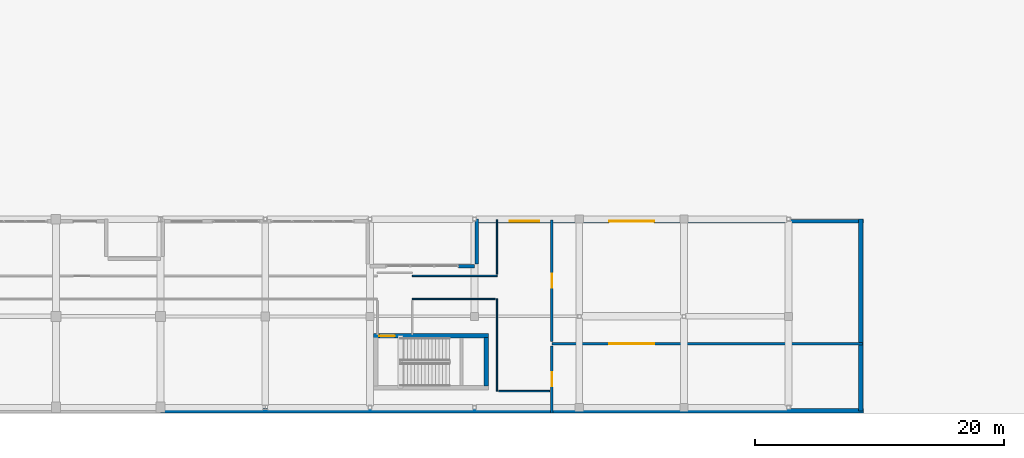
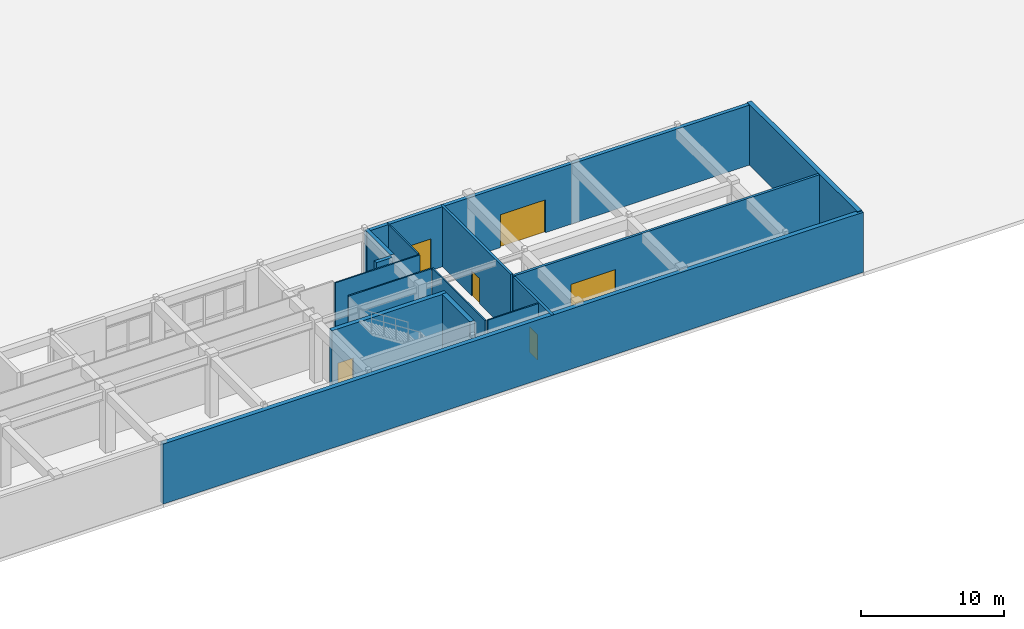
# One storey, part 129 of 148: 15 walls, 6 doors, 6 openings.
"""IFC4 building model written with IfcOpenShell, lengths in metres."""

from ifc_helpers import new_model, si_unit, direction, frame, frame_2d, origin, place, context, subcontext, project, spatial, rectangle, extrude, material, layer, layer_set, type_object, element, fill, save


model = new_model("IFC4")

# Units and contexts
model_context = context("Model", 3, precision=1e-05, world=origin(), true_north=direction((0.0, 1.0)))
body_context = subcontext(model_context, "Body", "Model", "MODEL_VIEW")
ifc_project = project(units=[si_unit("LENGTHUNIT", "METRE"), si_unit("AREAUNIT", "SQUARE_METRE"), si_unit("VOLUMEUNIT", "CUBIC_METRE"), si_unit("PLANEANGLEUNIT", "RADIAN"), si_unit("MASSUNIT", "GRAM", prefix="KILO")], contexts=[model_context])

# Site, building, storey
site_placement = place(None, origin())
site = spatial("IfcSite", under=ifc_project, at=site_placement, CompositionType="ELEMENT")
building_placement = place(site_placement, origin())
building = spatial("IfcBuilding", under=site, at=building_placement, Name="Quendrovan Civic Courthouse", CompositionType="ELEMENT")
storey_placement = place(building_placement, origin())
storey = spatial("IfcBuildingStorey", under=building, at=storey_placement, Name="L01", CompositionType="ELEMENT", Elevation=0.0)

# Wall, opening, door
ifc_material_1 = material(Name="Concrete C45/55", Category="concrete")
ifc_layer_1 = layer(ifc_material_1, 0.35009765625, Name="Concrete C45/55")
ifc_layer_set_1 = layer_set([ifc_layer_1], Name="Concrete C45/55")
wall_type_1 = type_object("IfcWallType", Name="WL-CORE-350", PredefinedType="SHEAR", material=ifc_layer_set_1)
wall_1_placement = place(storey_placement, frame((85.110107421875, 6.235107421875, 0.0), z_axis=(0.0, 0.0, 1.0), x_axis=(-1.0, 0.0, 0.0)))
wall_1 = element("IfcWall", 1, at=wall_1_placement, inside=storey, type_object=wall_type_1, Name="L01 Core Shear Wall ST7-N", PredefinedType="SHEAR", context=body_context, shape_type="SweptSolid", body=[
    extrude(rectangle(XDim=9.22021484375, YDim=0.35009765625, at=frame_2d((4.610107421875, 0.0))), origin(), (0.0, 0.0, 1.0), 5.1201171875),
])
opening_1_placement = place(wall_1_placement, frame((7.5, 0.0, 0.0)))
opening_1 = element("IfcOpeningElement", 2, at=opening_1_placement, cuts=wall_1, Name="Opening DS-ST7-L01", PredefinedType="OPENING", context=body_context, shape_type="SweptSolid", body=[
    extrude(rectangle(XDim=1.25, YDim=2.199951171875, at=frame_2d((0.625, 1.10009765625))), frame((0.0, 0.18505859375, 0.0), z_axis=(0.0, -1.0, 0.0), x_axis=(1.0, 0.0, 0.0)), (0.0, 0.0, 1.0), 0.3701171875),
])
ifc_material_2 = material(Name="Painted galvanized hollow-metal steel", Category="steel")
door_type_1 = type_object("IfcDoorType", Name="DR-STAIR-1250", OperationType="NOTDEFINED", PredefinedType="DOOR", material=ifc_material_2)
door_1_placement = place(opening_1_placement, origin())
door_1 = element("IfcDoor", 3, at=door_1_placement, inside=storey, type_object=door_type_1, Name="L01 Exit Stair ST7 Fire Door", OperationType="SINGLE_SWING_LEFT", OverallHeight=2.199951171875, OverallWidth=1.25, PredefinedType="DOOR", context=body_context, shape_type="SweptSolid", body=[
    extrude(rectangle(XDim=1.25, YDim=2.199951171875, at=frame_2d((0.625, 1.10009765625))), frame((0.0, 0.02490234375, 0.0), z_axis=(0.0, -1.0, 0.0), x_axis=(1.0, 0.0, 0.0)), (0.0, 0.0, 1.0), 0.050048828125),
])
fill(opening_1, door_1)

# Wall
wall_2_placement = place(storey_placement, frame((84.93505859375, 6.10009765625, 0.0), z_axis=(0.0, 0.0, 1.0), x_axis=(0.0, -1.0, 0.0)))
element("IfcWall", 4, at=wall_2_placement, inside=storey, type_object=wall_type_1, Name="L01 Core Shear Wall ST7-E", PredefinedType="SHEAR", context=body_context, shape_type="SweptSolid", body=[
    extrude(rectangle(XDim=3.900146484375, YDim=0.35009765625, at=frame_2d((1.9501953125, 0.0))), origin(), (0.0, 0.0, 1.0), 5.1201171875),
])

# Wall, opening, door
ifc_material_3 = material(Name="Concrete C40/50", Category="concrete")
ifc_layer_2 = layer(ifc_material_3, 0.199951171875, Name="Concrete C40/50")
ifc_layer_set_2 = layer_set([ifc_layer_2], Name="Concrete C40/50")
wall_type_2 = type_object("IfcWallType", Name="WL-CUST-200", PredefinedType="PARTITIONING", material=ifc_layer_set_2)
wall_3_placement = place(storey_placement, frame((115.139892578125, 5.60009765625, 0.0), z_axis=(0.0, 0.0, 1.0), x_axis=(-1.0, 0.0, 0.0)))
wall_3 = element("IfcWall", 5, at=wall_3_placement, inside=storey, type_object=wall_type_2, Name="L01 Custody Vehicle Dock Partition 0161", PredefinedType="PARTITIONING", context=body_context, shape_type="SweptSolid", body=[
    extrude(rectangle(XDim=24.93994140625, YDim=0.199951171875, at=frame_2d((12.469970703125, 0.0))), origin(), (0.0, 0.0, 1.0), 5.1201171875),
])
opening_2_placement = place(wall_3_placement, frame((16.739990234375, 0.0, 0.0)))
opening_2 = element("IfcOpeningElement", 6, at=opening_2_placement, cuts=wall_3, Name="Opening G-SP2", PredefinedType="OPENING", context=body_context, shape_type="SweptSolid", body=[
    extrude(rectangle(XDim=3.60009765625, YDim=2.800048828125, at=frame_2d((1.800048828125, 1.39990234375))), frame((0.0, 0.10986328125, 0.0), z_axis=(0.0, -1.0, 0.0), x_axis=(1.0, 0.0, 0.0)), (0.0, 0.0, 1.0), 0.219970703125),
])
ifc_material_4 = material(Name="Bronze anodised aluminium", Category="aluminium")
door_type_2 = type_object("IfcDoorType", Name="GT-SALLY-3600", OperationType="NOTDEFINED", PredefinedType="GATE", material=ifc_material_4)
door_2_placement = place(opening_2_placement, origin())
door_2 = element("IfcDoor", 7, at=door_2_placement, inside=storey, type_object=door_type_2, Name="Custody Vehicle Dock Interlocked Interior Roller Shutter Gate G-SP2", OperationType="ROLLINGUP", OverallHeight=2.800048828125, OverallWidth=3.60009765625, PredefinedType="GATE", context=body_context, shape_type="SweptSolid", body=[
    extrude(rectangle(XDim=3.60009765625, YDim=2.800048828125, at=frame_2d((1.800048828125, 1.39990234375))), frame((0.0, 0.02490234375, 0.0), z_axis=(0.0, -1.0, 0.0), x_axis=(1.0, 0.0, 0.0)), (0.0, 0.0, 1.0), 0.050048828125),
])
fill(opening_2, door_2)

wall_4_placement = place(storey_placement, frame((90.199951171875, 5.780029296875, 0.0), z_axis=(0.0, 0.0, 1.0), x_axis=(0.0, 1.0, 0.0)))
wall_4 = element("IfcWall", 8, at=wall_4_placement, inside=storey, type_object=wall_type_2, Name="L01 Custody Vehicle Dock Partition 0194", PredefinedType="PARTITIONING", context=body_context, shape_type="SweptSolid", body=[
    extrude(rectangle(XDim=9.760009765625, YDim=0.199951171875, at=frame_2d((4.8798828125, 0.0))), origin(), (0.0, 0.0, 1.0), 5.1201171875),
])
opening_3_placement = place(wall_4_placement, frame((4.320068359375, 0.0, 0.0)))
opening_3 = element("IfcOpeningElement", 9, at=opening_3_placement, cuts=wall_4, Name="Opening D-L01-030", PredefinedType="OPENING", context=body_context, shape_type="SweptSolid", body=[
    extrude(rectangle(XDim=1.1201171875, YDim=2.14990234375, at=frame_2d((0.56005859375, 1.074951171875))), frame((0.0, 0.10986328125, 0.0), z_axis=(0.0, -1.0, 0.0), x_axis=(1.0, 0.0, 0.0)), (0.0, 0.0, 1.0), 0.219970703125),
])
ifc_material_5 = material(Name="Heavy-gauge security steel door", Category="steel")
door_type_3 = type_object("IfcDoorType", Name="DR-CUST-1120", OperationType="NOTDEFINED", PredefinedType="DOOR", material=ifc_material_5)
door_3_placement = place(opening_3_placement, origin())
door_3 = element("IfcDoor", 10, at=door_3_placement, inside=storey, type_object=door_type_3, Name="L01 Custody Vehicle Dock Door D-L01-030", OperationType="SINGLE_SWING_LEFT", OverallHeight=2.14990234375, OverallWidth=1.1201171875, PredefinedType="DOOR", context=body_context, shape_type="SweptSolid", body=[
    extrude(rectangle(XDim=1.1201171875, YDim=2.14990234375, at=frame_2d((0.56005859375, 1.074951171875))), frame((0.0, 0.02490234375, 0.0), z_axis=(0.0, -1.0, 0.0), x_axis=(1.0, 0.0, 0.0)), (0.0, 0.0, 1.0), 0.050048828125),
])
fill(opening_3, door_3)

wall_5_placement = place(storey_placement, frame((90.199951171875, 0.06005859375, 0.0), z_axis=(0.0, 0.0, 1.0), x_axis=(0.0, 1.0, 0.0)))
wall_5 = element("IfcWall", 11, at=wall_5_placement, inside=storey, type_object=wall_type_2, Name="L01 Custody Sallyport Intake Suite Partition 0218", PredefinedType="PARTITIONING", context=body_context, shape_type="SweptSolid", body=[
    extrude(rectangle(XDim=5.35986328125, YDim=0.199951171875, at=frame_2d((2.679931640625, 0.0))), origin(), (0.0, 0.0, 1.0), 5.1201171875),
])
opening_4_placement = place(wall_5_placement, frame((2.1201171875, 0.0, 0.0)))
opening_4 = element("IfcOpeningElement", 12, at=opening_4_placement, cuts=wall_5, Name="Opening D-L01-031", PredefinedType="OPENING", context=body_context, shape_type="SweptSolid", body=[
    extrude(rectangle(XDim=1.1201171875, YDim=2.14990234375, at=frame_2d((0.56005859375, 1.074951171875))), frame((0.0, 0.10986328125, 0.0), z_axis=(0.0, -1.0, 0.0), x_axis=(1.0, 0.0, 0.0)), (0.0, 0.0, 1.0), 0.219970703125),
])
door_4_placement = place(opening_4_placement, origin())
door_4 = element("IfcDoor", 13, at=door_4_placement, inside=storey, type_object=door_type_3, Name="L01 Custody Sallyport Intake Suite Door D-L01-031", OperationType="SINGLE_SWING_RIGHT", OverallHeight=2.14990234375, OverallWidth=1.1201171875, PredefinedType="DOOR", context=body_context, shape_type="SweptSolid", body=[
    extrude(rectangle(XDim=1.1201171875, YDim=2.14990234375, at=frame_2d((0.56005859375, 1.074951171875))), frame((0.0, 0.02490234375, 0.0), z_axis=(0.0, -1.0, 0.0), x_axis=(1.0, 0.0, 0.0)), (0.0, 0.0, 1.0), 0.050048828125),
])
fill(opening_4, door_4)

# Walls
ifc_material_6 = material(Name="Precast concrete C45/55", Category="concrete")
ifc_layer_3 = layer(ifc_material_6, 0.2900390625, Name="Precast concrete C45/55")
ifc_layer_set_3 = layer_set([ifc_layer_3], Name="Precast concrete C45/55")
wall_type_3 = type_object("IfcWallType", Name="WL-EXT-PC290", PredefinedType="SOLIDWALL", material=ifc_layer_set_3)
wall_6_placement = place(storey_placement, frame((82.699951171875, 11.8349609375, 0.0), z_axis=(0.0, 0.0, 1.0), x_axis=(1.0, 0.0, 0.0)))
element("IfcWall", 14, at=wall_6_placement, inside=storey, type_object=wall_type_3, Name="L01 Exterior Pier Wall 067", PredefinedType="SOLIDWALL", context=body_context, shape_type="SweptSolid", body=[
    extrude(rectangle(XDim=1.300048828125, YDim=0.2900390625, at=frame_2d((0.64990234375, 0.0))), origin(), (0.0, 0.0, 1.0), 5.1201171875),
])
wall_7_placement = place(storey_placement, frame((84.1650390625, 12.0, 0.0), z_axis=(0.0, 0.0, 1.0), x_axis=(0.0, 1.0, 0.0)))
element("IfcWall", 15, at=wall_7_placement, inside=storey, type_object=wall_type_3, Name="L01 Exterior Civic Portal Wall 068", PredefinedType="SOLIDWALL", context=body_context, shape_type="SweptSolid", body=[
    extrude(rectangle(XDim=3.60009765625, YDim=0.2900390625, at=frame_2d((1.800048828125, 0.0))), origin(), (0.0, 0.0, 1.0), 5.1201171875),
])

# Wall, openings, doors
wall_8_placement = place(storey_placement, frame((84.0, 15.43505859375, 0.0), z_axis=(0.0, 0.0, 1.0), x_axis=(1.0, 0.0, 0.0)))
wall_8 = element("IfcWall", 16, at=wall_8_placement, inside=storey, type_object=wall_type_3, Name="L01 Exterior Civic Portal Wall 069", PredefinedType="SOLIDWALL", context=body_context, shape_type="SweptSolid", body=[
    extrude(rectangle(XDim=31.199951171875, YDim=0.2900390625, at=frame_2d((15.60009765625, 0.0))), origin(), (0.0, 0.0, 1.0), 5.1201171875),
])
opening_5_placement = place(wall_8_placement, frame((10.800048828125, 0.0, 0.0)))
opening_5 = element("IfcOpeningElement", 17, at=opening_5_placement, cuts=wall_8, Name="Opening G-SP1", PredefinedType="OPENING", context=body_context, shape_type="SweptSolid", body=[
    extrude(rectangle(XDim=3.60009765625, YDim=2.800048828125, at=frame_2d((1.800048828125, 1.39990234375))), frame((0.0, 0.155029296875, 0.0), z_axis=(0.0, -1.0, 0.0), x_axis=(1.0, 0.0, 0.0)), (0.0, 0.0, 1.0), 0.31005859375),
])
opening_6_placement = place(wall_8_placement, frame((2.800048828125, 0.0, 0.0)))
opening_6 = element("IfcOpeningElement", 18, at=opening_6_placement, cuts=wall_8, Name="Opening DE-12", PredefinedType="OPENING", context=body_context, shape_type="SweptSolid", body=[
    extrude(rectangle(XDim=2.39990234375, YDim=2.699951171875, at=frame_2d((1.199951171875, 1.35009765625))), frame((0.0, 0.155029296875, 0.0), z_axis=(0.0, -1.0, 0.0), x_axis=(1.0, 0.0, 0.0)), (0.0, 0.0, 1.0), 0.31005859375),
])
ifc_material_7 = material(Name="Bronze anodised aluminium and low-E glass", Category="aluminium")
door_type_4 = type_object("IfcDoorType", Name="DR-EXT-MAIN-2400", OperationType="NOTDEFINED", PredefinedType="DOOR", material=ifc_material_7)
door_5_placement = place(opening_6_placement, origin())
door_5 = element("IfcDoor", 19, at=door_5_placement, inside=storey, type_object=door_type_4, Name="L01 Courtyard Civic Exit Door DE-12", OperationType="SINGLE_SWING_LEFT", OverallHeight=2.699951171875, OverallWidth=2.39990234375, PredefinedType="DOOR", context=body_context, shape_type="SweptSolid", body=[
    extrude(rectangle(XDim=2.39990234375, YDim=2.699951171875, at=frame_2d((1.199951171875, 1.35009765625))), frame((0.0, 0.02490234375, 0.0), z_axis=(0.0, -1.0, 0.0), x_axis=(1.0, 0.0, 0.0)), (0.0, 0.0, 1.0), 0.050048828125),
])
fill(opening_6, door_5)
door_6_placement = place(opening_5_placement, origin())
door_6 = element("IfcDoor", 20, at=door_6_placement, inside=storey, type_object=door_type_2, Name="Custody Vehicle Dock Courtyard Roller Shutter Gate G-SP1", OperationType="ROLLINGUP", OverallHeight=2.800048828125, OverallWidth=3.60009765625, PredefinedType="GATE", context=body_context, shape_type="SweptSolid", body=[
    extrude(rectangle(XDim=3.60009765625, YDim=2.800048828125, at=frame_2d((1.800048828125, 1.39990234375))), frame((0.0, 0.02490234375, 0.0), z_axis=(0.0, -1.0, 0.0), x_axis=(1.0, 0.0, 0.0)), (0.0, 0.0, 1.0), 0.050048828125),
])
fill(opening_5, door_6)

# Walls
ifc_layer_4 = layer(ifc_material_3, 0.360107421875, Name="Concrete C40/50")
ifc_layer_set_4 = layer_set([ifc_layer_4], Name="Concrete C40/50")
wall_type_4 = type_object("IfcWallType", Name="WL-PARTY-360", PredefinedType="SOLIDWALL", material=ifc_layer_set_4)
wall_9_placement = place(storey_placement, frame((115.0, 15.60009765625, 0.0), z_axis=(0.0, 0.0, 1.0), x_axis=(0.0, -1.0, 0.0)))
element("IfcWall", 21, at=wall_9_placement, inside=storey, type_object=wall_type_4, Name="L01 Fire-Rated Boundary Party Wall 070", PredefinedType="SOLIDWALL", context=body_context, shape_type="SweptSolid", body=[
    extrude(rectangle(XDim=15.39013671875, YDim=0.360107421875, at=frame_2d((7.695068359375, 0.0))), origin(), (0.0, 0.0, 1.0), 5.179931640625),
])
wall_10_placement = place(storey_placement, frame((115.199951171875, 0.2099609375, 0.0), z_axis=(0.0, 0.0, 1.0), x_axis=(-1.0, 0.0, 0.0)))
element("IfcWall", 22, at=wall_10_placement, inside=storey, type_object=wall_type_4, Name="L01 Fire-Rated Boundary Party Wall 071", PredefinedType="SOLIDWALL", context=body_context, shape_type="SweptSolid", body=[
    extrude(rectangle(XDim=56.39990234375, YDim=0.360107421875, at=frame_2d((28.199951171875, 0.0))), origin(), (0.0, 0.0, 1.0), 5.1201171875),
])
ifc_material_8 = material(Name="Moisture-resistant tile-backer partition")
ifc_layer_5 = layer(ifc_material_8, 0.110107421875, Name="Moisture-resistant tile-backer partition")
ifc_layer_set_5 = layer_set([ifc_layer_5], Name="Moisture-resistant tile-backer partition")
wall_type_5 = type_object("IfcWallType", Name="WL-WET-110", PredefinedType="PARTITIONING", material=ifc_layer_set_5)
wall_11_placement = place(storey_placement, frame((85.800048828125, 9.199951171875, 0.0), z_axis=(0.0, 0.0, 1.0), x_axis=(0.0, -1.0, 0.0)))
element("IfcWall", 23, at=wall_11_placement, inside=storey, type_object=wall_type_5, Name="L01 Mediation Hearing Room Partition 0204", PredefinedType="PARTITIONING", context=body_context, shape_type="SweptSolid", body=[
    extrude(rectangle(XDim=7.39990234375, YDim=0.110107421875, at=frame_2d((3.699951171875, 0.0))), origin(), (0.0, 0.0, 1.0), 5.1201171875),
])
wall_12_placement = place(storey_placement, frame((85.800048828125, 11.050048828125, 0.0), z_axis=(0.0, 0.0, 1.0), x_axis=(-1.0, 0.0, 0.0)))
element("IfcWall", 24, at=wall_12_placement, inside=storey, type_object=wall_type_5, Name="L01 Mediation Hearing Room Partition 0205", PredefinedType="PARTITIONING", context=body_context, shape_type="SweptSolid", body=[
    extrude(rectangle(XDim=6.800048828125, YDim=0.110107421875, at=frame_2d((3.39990234375, 0.0))), origin(), (0.0, 0.0, 1.0), 5.1201171875),
])
wall_13_placement = place(storey_placement, frame((79.0, 9.199951171875, 0.0), z_axis=(0.0, 0.0, 1.0), x_axis=(1.0, 0.0, 0.0)))
element("IfcWall", 25, at=wall_13_placement, inside=storey, type_object=wall_type_5, Name="L01 Mediation Hearing Room Partition 0206", PredefinedType="PARTITIONING", context=body_context, shape_type="SweptSolid", body=[
    extrude(rectangle(XDim=6.6650390625, YDim=0.110107421875, at=frame_2d((3.33251953125, 0.0))), origin(), (0.0, 0.0, 1.0), 5.1201171875),
])
wall_14_placement = place(storey_placement, frame((85.800048828125, 15.5400390625, 0.0), z_axis=(0.0, 0.0, 1.0), x_axis=(0.0, -1.0, 0.0)))
element("IfcWall", 26, at=wall_14_placement, inside=storey, type_object=wall_type_5, Name="L01 Mediation Hearing Room Partition 0232", PredefinedType="PARTITIONING", context=body_context, shape_type="SweptSolid", body=[
    extrude(rectangle(XDim=4.35498046875, YDim=0.110107421875, at=frame_2d((2.177490234375, 0.0))), origin(), (0.0, 0.0, 1.0), 5.1201171875),
])
wall_15_placement = place(storey_placement, frame((85.93505859375, 1.800048828125, 0.0), z_axis=(0.0, 0.0, 1.0), x_axis=(1.0, 0.0, 0.0)))
element("IfcWall", 27, at=wall_15_placement, inside=storey, type_object=wall_type_5, Name="L01 Mediation Hearing Room Partition 0233", PredefinedType="PARTITIONING", context=body_context, shape_type="SweptSolid", body=[
    extrude(rectangle(XDim=4.0849609375, YDim=0.110107421875, at=frame_2d((2.04248046875, 0.0))), origin(), (0.0, 0.0, 1.0), 5.1201171875),
])

save(model, "model.ifc")
